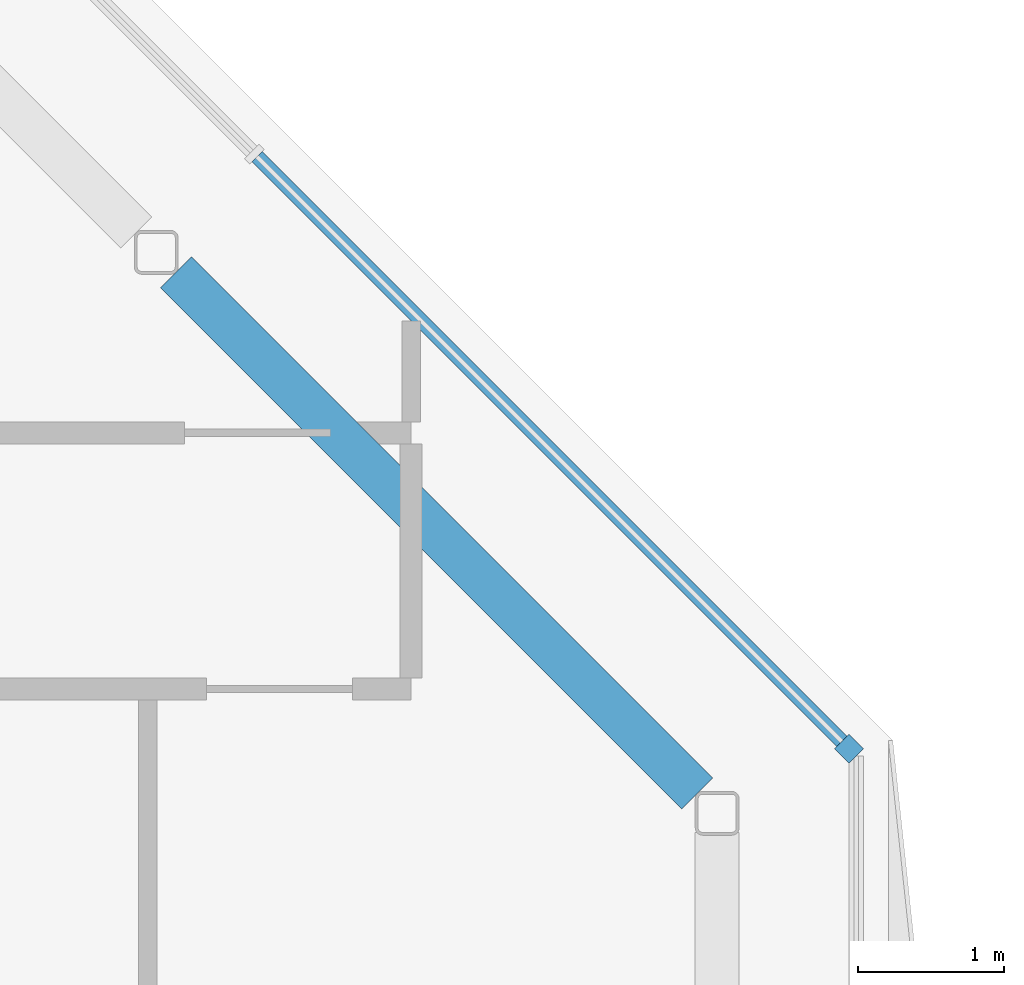
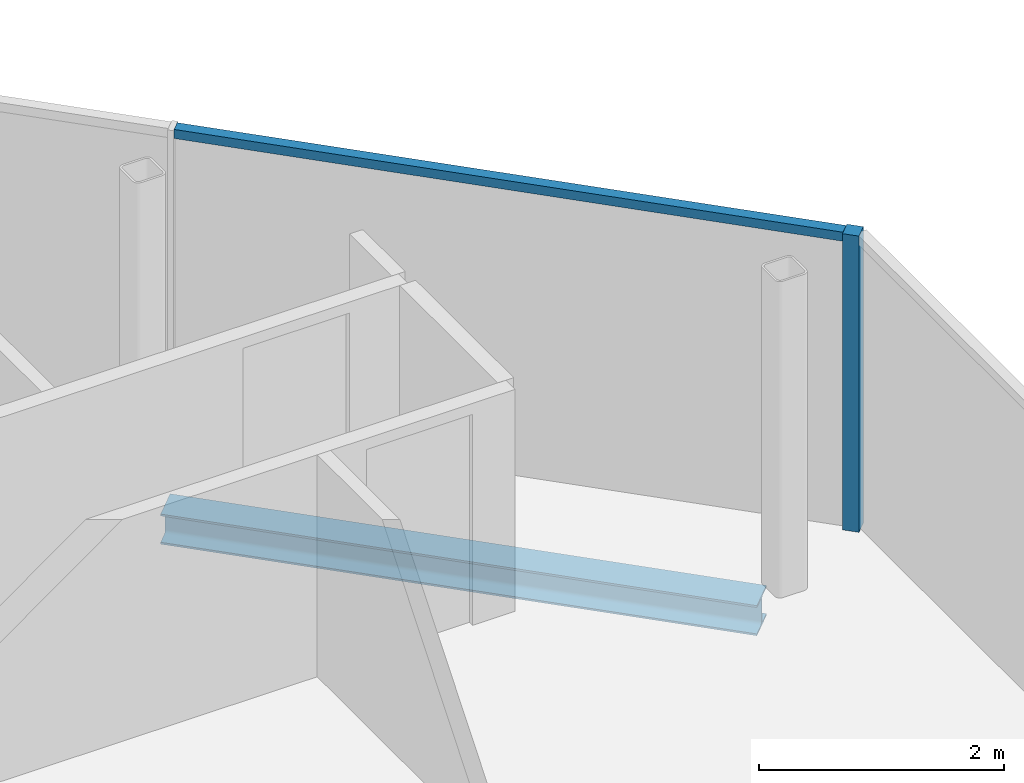
# One storey, part 7 of 16: 2 members, 1 beam, 1 element without a shape of its own.
"""IFC4 building model written with IfcOpenShell, lengths in metres."""

from ifc_helpers import new_model, si_unit, direction, frame, origin, origin_2d, place, context, subcontext, project, spatial, rectangle, i_section, extrude, material, material_profile, profile_set, type_object, element, aggregate, save


model = new_model("IFC4")

# Units and contexts
model_context = context("Model", 3, precision=1e-05, world=origin(), true_north=direction((0.0, 1.0)))
body_context = subcontext(model_context, "Body", "Model", "MODEL_VIEW")
ifc_project = project(units=[si_unit("LENGTHUNIT", "METRE"), si_unit("AREAUNIT", "SQUARE_METRE"), si_unit("VOLUMEUNIT", "CUBIC_METRE"), si_unit("PLANEANGLEUNIT", "RADIAN"), si_unit("MASSUNIT", "GRAM", prefix="KILO")], contexts=[model_context])

# Site, building, storey
site_placement = place(None, origin())
site = spatial("IfcSite", under=ifc_project, at=site_placement, CompositionType="ELEMENT")
building_placement = place(site_placement, origin())
building = spatial("IfcBuilding", under=site, at=building_placement, Name="Tskaro Facet Tower", CompositionType="ELEMENT")
storey_placement = place(building_placement, frame((0.0, 0.0, 248.699951171875)))
storey = spatial("IfcBuildingStorey", under=building, at=storey_placement, Name="L65", CompositionType="ELEMENT", Elevation=248.699951171875)

# Curtain wall, members
ifc_material_1 = material(Name="Bronze anodised aluminium 6063-T6", Category="aluminium")
curtain_wall_type = type_object("IfcCurtainWallType", Name="Bronze residence curtain wall (FW3)", PredefinedType="NOTDEFINED", material=ifc_material_1)
curtain_wall_placement = place(storey_placement, origin())
curtain_wall = element("IfcCurtainWall", 1, at=curtain_wall_placement, inside=storey, type_object=curtain_wall_type, Name="FW3 north-east facet L65", PredefinedType="NOTDEFINED")
ifc_material_profile_1 = material_profile(ifc_material_1, rectangle(XDim=0.139892578125, YDim=0.139892578125, at=origin_2d()), Name="Corner post 140x140")
ifc_profile_set_1 = profile_set([ifc_material_profile_1], Name="Bronze anodised aluminium 6063-T6")
member_type_1 = type_object("IfcMemberType", Name="FW3 bronze corner post 140x140", PredefinedType="MULLION", material=ifc_profile_set_1)
member_1_placement = place(storey_placement, frame((14.29150390625, 9.16748046875, 0.0), z_axis=(0.0, 0.0, 1.0), x_axis=(-0.707106781187, 0.707106781187, 0.0)))
member_1 = element("IfcMember", 2, at=member_1_placement, type_object=member_type_1, Name="FW3 north-east corner post", PredefinedType="MULLION", context=body_context, shape_type="SweptSolid", body=[
    extrude(rectangle(XDim=0.139892578125, YDim=0.139892578125, at=origin_2d()), origin(), (0.0, 0.0, 1.0), 2.949951171875),
])
ifc_material_profile_2 = material_profile(ifc_material_1, rectangle(XDim=0.10009765625, YDim=0.090087890625, at=origin_2d()), Name="Transom 100x90")
ifc_profile_set_2 = profile_set([ifc_material_profile_2], Name="Bronze anodised aluminium 6063-T6")
member_type_2 = type_object("IfcMemberType", Name="FW3 bronze transom 100x90", PredefinedType="USERDEFINED", material=ifc_profile_set_2)
member_2_placement = place(storey_placement, frame((14.241943359375, 9.217041015625, 2.905029296875), z_axis=(-0.707106781187, 0.707106781187, 0.0), x_axis=(-0.707106781187, -0.707106781187, 0.0)))
member_2 = element("IfcMember", 3, at=member_2_placement, type_object=member_type_2, Name="FW3 north-east transom 1.1", ObjectType="TRANSOM", PredefinedType="USERDEFINED", context=body_context, shape_type="SweptSolid", body=[
    extrude(rectangle(XDim=0.10009765625, YDim=0.090087890625, at=origin_2d()), origin(), (0.0, 0.0, 1.0), 5.649658203125),
])
aggregate(curtain_wall, [member_1, member_2])

# Beam
ifc_material_2 = material(Name="Steel S355J2", Category="steel")
ifc_material_profile_3 = material_profile(ifc_material_2, i_section(OverallWidth=0.300048828125, OverallDepth=0.300048828125, WebThickness=0.010986328125, FlangeThickness=0.01904296875, FilletRadius=0.027099609375, at=origin_2d()), Name="HE 300 B")
ifc_profile_set_3 = profile_set([ifc_material_profile_3], Name="Steel S355J2")
beam_type = type_object("IfcBeamType", Name="HE 300 B ring beam", PredefinedType="BEAM", material=ifc_profile_set_3)
beam_placement = place(storey_placement, frame((13.255126953125, 8.86083984375, -0.2900390625), z_axis=(-0.707106781187, 0.707106781187, 0.0), x_axis=(-0.707106781187, -0.707106781187, 0.0)))
element("IfcBeam", 4, at=beam_placement, inside=storey, type_object=beam_type, Name="HE 300 B EB8-5", PredefinedType="BEAM", context=body_context, shape_type="SweptSolid", body=[
    extrude(i_section(OverallWidth=0.300048828125, OverallDepth=0.300048828125, WebThickness=0.010986328125, FlangeThickness=0.01904296875, FilletRadius=0.027099609375, at=origin_2d()), origin(), (0.0, 0.0, 1.0), 5.036376953125),
])

save(model, "model.ifc")
